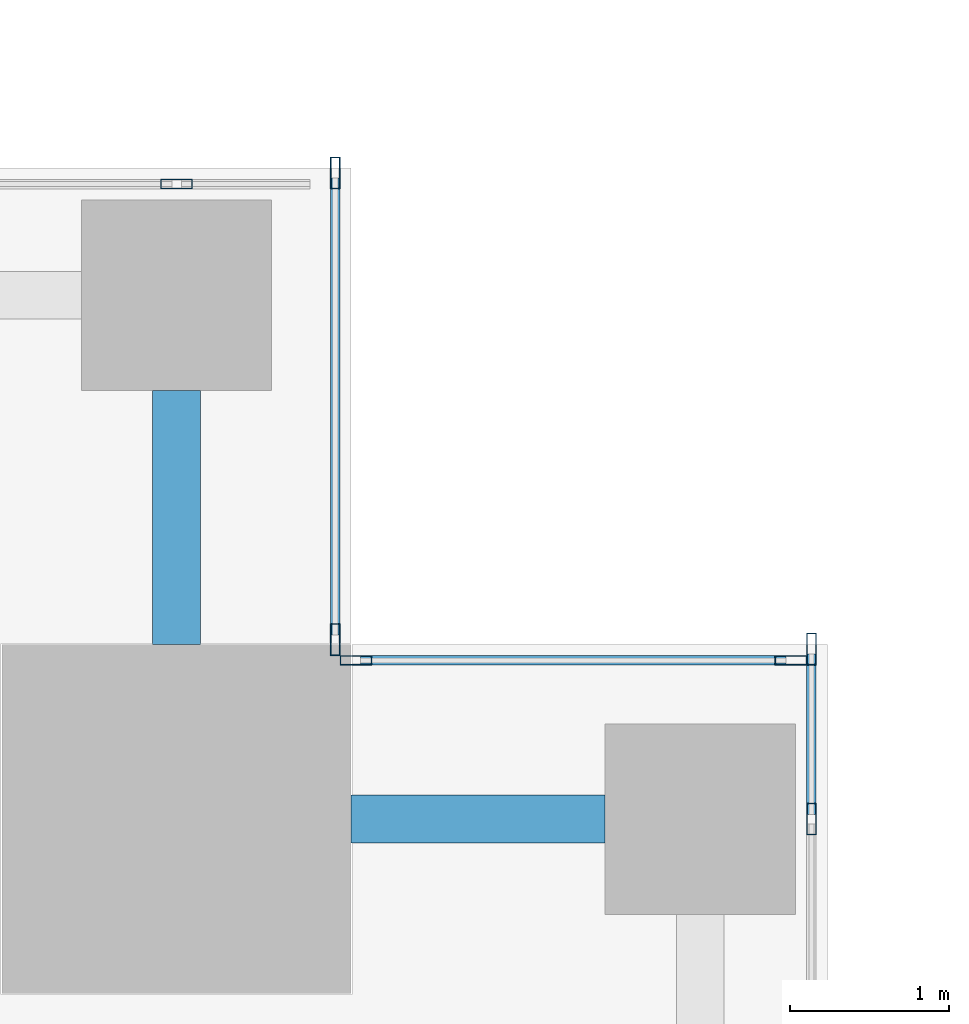
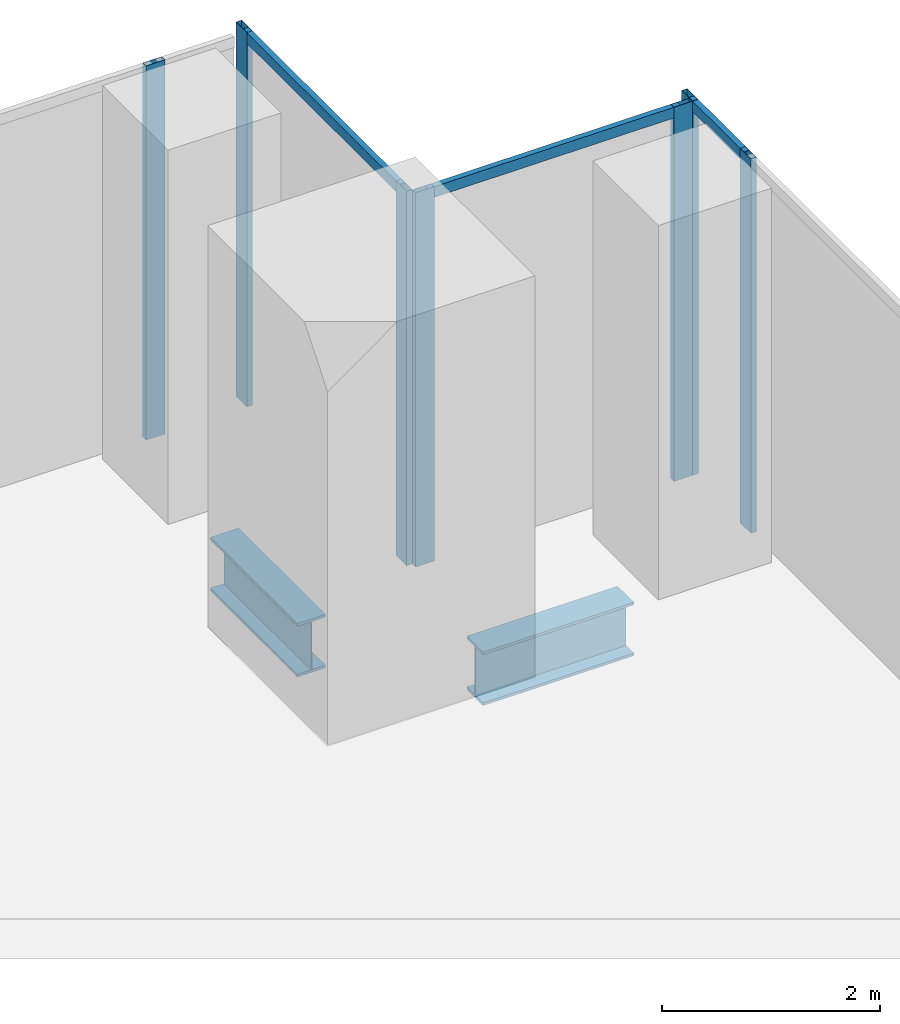
# One storey, part 19 of 32: 10 members, 2 beams, 4 elements without a shape of their own.
"""IFC4 building model written with IfcOpenShell, lengths in metres."""

import ifcopenshell
import ifcopenshell.guid

model = None  # the IFC model being written
_history = None  # IfcOwnerHistory: only IFC2X3 demands one
_inside = {}  # id of a spatial element -> (the spatial element, [elements in it])
_under = {}  # id of a project, library or spatial element -> (it, [spatial elements below it])
_declared = {}  # id of a project -> (the project, [libraries it declares])
_typed = {}  # id of a type object -> (the type object, [elements of that type])
_made_of = {}  # id of a material, layer set ... -> (it, [elements and type objects made of it])


def new_model(schema):
    """Start an empty IFC model of exactly this schema.

    Asked for "IFC4X3", IfcOpenShell would pick the latest addendum, in which some entities
    have other attributes; the version numbers below select the first issue.
    IFC2X3 requires an IfcOwnerHistory on every rooted entity: one is made here for all.
    """
    global model, _history
    if schema == "IFC4X3":
        model = ifcopenshell.file(schema_version=(4, 3, 0, 0))
    else:
        model = ifcopenshell.file(schema=schema)
    _inside.clear()
    _under.clear()
    _declared.clear()
    _typed.clear()
    _made_of.clear()
    _history = None
    if model.schema == "IFC2X3":
        org = make("IfcOrganization", Name="unknown")
        user = make(
            "IfcPersonAndOrganization",
            ThePerson=make("IfcPerson", FamilyName="unknown"),
            TheOrganization=org,
        )
        app = make(
            "IfcApplication",
            ApplicationDeveloper=org,
            Version="unknown",
            ApplicationFullName="unknown",
            ApplicationIdentifier="unknown",
        )
        _history = make(
            "IfcOwnerHistory",
            OwningUser=user,
            OwningApplication=app,
            ChangeAction="ADDED",
            CreationDate=0,
        )
    return model


def make(cls, **values):
    """One entity of the class cls with the attributes given. An attribute that is None is left unset."""
    return model.create_entity(
        cls, **{name: value for name, value in values.items() if value is not None}
    )


def rooted(cls, **values):
    """An entity with a GlobalId (a new one), such as an element, a storey or a relation."""
    return make(cls, GlobalId=ifcopenshell.guid.new(), OwnerHistory=_history, **values)


def si_unit(unit_type, name, prefix=None):
    """IfcSIUnit, for example si_unit("LENGTHUNIT", "METRE", prefix="MILLI")."""
    return make("IfcSIUnit", UnitType=unit_type, Prefix=prefix, Name=name)


def assignment(units):
    """IfcUnitAssignment: the units of a project."""
    return None if units is None else make("IfcUnitAssignment", Units=units)


def point(xyz):
    """IfcCartesianPoint."""
    return None if xyz is None else make("IfcCartesianPoint", Coordinates=xyz)


def direction(xyz):
    """IfcDirection."""
    return None if xyz is None else make("IfcDirection", DirectionRatios=xyz)


def frame(location, z_axis=None, x_axis=None):
    """IfcAxis2Placement3D, a coordinate frame: its origin and axes. An axis left out is left unset."""
    return make(
        "IfcAxis2Placement3D",
        Location=point(location),
        Axis=direction(z_axis),
        RefDirection=direction(x_axis),
    )


def frame_2d(location, x_axis=None):
    """IfcAxis2Placement2D, a coordinate frame in the plane: its origin and x axis."""
    return make(
        "IfcAxis2Placement2D", Location=point(location), RefDirection=direction(x_axis)
    )


def origin():
    """The frame at (0, 0, 0) with its axes left unset."""
    return frame((0.0, 0.0, 0.0))


def origin_2d():
    """The frame at (0, 0) in the plane with its x axis left unset."""
    return frame_2d((0.0, 0.0))


def place(relative_to, where):
    """IfcLocalPlacement: puts the frame where relative to a parent placement (None: the world)."""
    return make(
        "IfcLocalPlacement", PlacementRelTo=relative_to, RelativePlacement=where
    )


def context(
    kind, dimensions, precision=None, world=None, true_north=None, identifier=None
):
    """IfcGeometricRepresentationContext, for example the 3D "Model" context."""
    return make(
        "IfcGeometricRepresentationContext",
        ContextIdentifier=identifier,
        ContextType=kind,
        CoordinateSpaceDimension=dimensions,
        Precision=precision,
        WorldCoordinateSystem=world,
        TrueNorth=true_north,
    )


def subcontext(parent, identifier, kind, view, scale=None):
    """IfcGeometricRepresentationSubContext, for example "Body" below "Model"."""
    return make(
        "IfcGeometricRepresentationSubContext",
        ContextIdentifier=identifier,
        ContextType=kind,
        ParentContext=parent,
        TargetScale=scale,
        TargetView=view,
    )


def project(units=None, contexts=None):
    """IfcProject with its units and contexts."""
    return rooted(
        "IfcProject",
        Name="project",
        RepresentationContexts=contexts,
        UnitsInContext=assignment(units),
    )


def spatial(cls, under=None, at=None, **own):
    """A site, building, storey or space (cls), placed at a placement, below another one or the project."""
    s = rooted(cls, ObjectPlacement=at, **own)
    if under is not None:
        _under.setdefault(under.id(), (under, []))[1].append(s)
    return s


def profile(cls, at=None, kind="AREA", **sizes):
    """A parametric profile (cls). Its sizes go by their IFC names, for example OverallWidth=200.0."""
    return make(cls, ProfileType=kind, Position=at, **sizes)


def hollow_rectangle(**sizes):
    """IfcRectangleHollowProfileDef."""
    return profile("IfcRectangleHollowProfileDef", **sizes)


def i_section(**sizes):
    """IfcIShapeProfileDef."""
    return profile("IfcIShapeProfileDef", **sizes)


def extrude(swept, where, along, depth):
    """IfcExtrudedAreaSolid: the profile swept, set in the frame where, extruded along a direction by depth."""
    return make(
        "IfcExtrudedAreaSolid",
        SweptArea=swept,
        Position=where,
        ExtrudedDirection=direction(along),
        Depth=depth,
    )


def shape(context_of_items, identifier, shape_type, items):
    """IfcShapeRepresentation: the items that make up one representation, for example the "Body"."""
    return make(
        "IfcShapeRepresentation",
        ContextOfItems=context_of_items,
        RepresentationIdentifier=identifier,
        RepresentationType=shape_type,
        Items=items,
    )


def source(mapping_origin, context_of_items, identifier, shape_type, items):
    """IfcRepresentationMap: a shape defined once, which mapped items show again and again."""
    return make(
        "IfcRepresentationMap",
        MappingOrigin=mapping_origin,
        MappedRepresentation=shape(context_of_items, identifier, shape_type, items),
    )


def transform(
    local_origin,
    x_axis=None,
    y_axis=None,
    z_axis=None,
    scale=None,
    scale2=None,
    scale3=None,
    uniform=True,
):
    """IfcCartesianTransformationOperator3D, or its non-uniform kind. x_axis, y_axis, z_axis: its Axis1, 2, 3."""
    if uniform:
        return make(
            "IfcCartesianTransformationOperator3D",
            Axis1=direction(x_axis),
            Axis2=direction(y_axis),
            LocalOrigin=point(local_origin),
            Scale=scale,
            Axis3=direction(z_axis),
        )
    return make(
        "IfcCartesianTransformationOperator3DnonUniform",
        Axis1=direction(x_axis),
        Axis2=direction(y_axis),
        LocalOrigin=point(local_origin),
        Scale=scale,
        Axis3=direction(z_axis),
        Scale2=scale2,
        Scale3=scale3,
    )


def mapped(mapping_source, mapping_target):
    """IfcMappedItem: shows the shape of a source again, moved by a transform."""
    return make(
        "IfcMappedItem", MappingSource=mapping_source, MappingTarget=mapping_target
    )


def material(Name=None, Category=None):
    """IfcMaterial."""
    return make("IfcMaterial", Name=Name, Category=Category)


def material_profile(
    of_material, cross_section, Name=None, Category=None, Priority=None
):
    """IfcMaterialProfile: a cross section and its material."""
    return make(
        "IfcMaterialProfile",
        Name=Name,
        Material=of_material,
        Profile=cross_section,
        Priority=Priority,
        Category=Category,
    )


def profile_set(profiles, Name=None, composite=None):
    """IfcMaterialProfileSet."""
    return make(
        "IfcMaterialProfileSet",
        Name=Name,
        MaterialProfiles=profiles,
        CompositeProfile=composite,
    )


def made_of(thing, what):
    """Note that an element or type object is made of a material, layer set ...; save() writes the relation."""
    if what is not None:
        _made_of.setdefault(what.id(), (what, []))[1].append(thing)
    return thing


def type_object(cls, material=None, **own):
    """A type object (cls), such as IfcWallType, which elements share."""
    return made_of(rooted(cls, **own), material)


def element(
    cls,
    number,
    at=None,
    inside=None,
    cuts=None,
    type_object=None,
    material=None,
    context=None,
    identifier="Body",
    shape_type=None,
    held_by="IfcProductDefinitionShape",
    body=None,
    shapes=None,
    **own,
):
    """One element of the class cls, such as IfcWall. Its Tag is "e" and its number.

    at: its placement. inside: the storey or other place that contains it. cuts: it is an
    opening in that element (IfcRelVoidsElement). A single representation is given by context,
    identifier, shape_type and body (its items); several are given by shapes. held_by: the class
    of the entity that holds the representations. save() writes the other relations.
    """
    e = rooted(cls, Tag="e%d" % number, ObjectPlacement=at, **own)
    if body is not None:
        shapes = [shape(context, identifier, shape_type, body)]
    if shapes is not None:
        e.Representation = make(held_by, Representations=shapes)
    if inside is not None:
        _inside.setdefault(inside.id(), (inside, []))[1].append(e)
    if cuts is not None:
        rooted(
            "IfcRelVoidsElement", RelatingBuildingElement=cuts, RelatedOpeningElement=e
        )
    if type_object is not None:
        _typed.setdefault(type_object.id(), (type_object, []))[1].append(e)
    return made_of(e, material)


def aggregate(whole, parts):
    """IfcRelAggregates: a whole, such as a stair, and the parts it consists of."""
    return rooted("IfcRelAggregates", RelatingObject=whole, RelatedObjects=parts)


def save(model, path):
    """Write the relations noted so far, then the file.

    IfcRelAggregates (storeys below a building ...), IfcRelContainedInSpatialStructure (elements
    in a storey), IfcRelDefinesByType, IfcRelAssociatesMaterial and IfcRelDeclares: one each for
    every whole, place, type object, material and project.
    """
    for whole, parts in _under.values():
        aggregate(whole, parts)
    for where, things in _inside.values():
        rooted(
            "IfcRelContainedInSpatialStructure",
            RelatedElements=things,
            RelatingStructure=where,
        )
    for kind, things in _typed.values():
        rooted("IfcRelDefinesByType", RelatedObjects=things, RelatingType=kind)
    for what, things in _made_of.values():
        rooted("IfcRelAssociatesMaterial", RelatedObjects=things, RelatingMaterial=what)
    for by, libraries in _declared.values():
        rooted("IfcRelDeclares", RelatingContext=by, RelatedDefinitions=libraries)
    model.write(path)


model = new_model("IFC4")

# Units and contexts
model_context = context("Model", 3, precision=1e-05, world=origin(), true_north=direction((0.0, 1.0)))
body_context = subcontext(model_context, "Body", "Model", "MODEL_VIEW")
ifc_project = project(units=[si_unit("LENGTHUNIT", "METRE"), si_unit("AREAUNIT", "SQUARE_METRE"), si_unit("VOLUMEUNIT", "CUBIC_METRE"), si_unit("PLANEANGLEUNIT", "RADIAN"), si_unit("MASSUNIT", "GRAM", prefix="KILO")], contexts=[model_context])

# Site, building, storey
site_placement = place(None, origin())
site = spatial("IfcSite", under=ifc_project, at=site_placement, CompositionType="ELEMENT")
building_placement = place(site_placement, origin())
building = spatial("IfcBuilding", under=site, at=building_placement, Name="Khomas Fold Tower", CompositionType="ELEMENT")
storey_placement = place(building_placement, frame((0.0, 0.0, 64.5)))
storey = spatial("IfcBuildingStorey", under=building, at=storey_placement, Name="L13", CompositionType="ELEMENT", Elevation=64.5)

# Beams
ifc_material_1 = material(Name="Steel S355", Category="steel")
ifc_material_profile_1 = material_profile(ifc_material_1, i_section(OverallWidth=0.300048828125, OverallDepth=0.60009765625, WebThickness=0.015380859375, FlangeThickness=0.030029296875, at=origin_2d()), Name="HE 600 B")
ifc_profile_set_1 = profile_set([ifc_material_profile_1], Name="Steel S355")
beam_type = type_object("IfcBeamType", Name="HE 600 B spandrel SB1", PredefinedType="SPANDREL", material=ifc_profile_set_1)
shared_shape_1 = source(origin(), body_context, "Body", "SweptSolid", [
    extrude(i_section(OverallWidth=0.300048828125, OverallDepth=0.60009765625, WebThickness=0.015380859375, FlangeThickness=0.030029296875, at=origin_2d()), origin(), (0.0, 0.0, 1.0), 1.60009765625),
])
for number, where, z_axis, x_axis, name in (
    (1, (51.0, 49.89990234375, -0.60009765625), (1.0, 0.0, 0.0), (0.0, 1.0, 0.0), "SB1"),
    (2, (49.89990234375, 51.0, -0.60009765625), (0.0, 1.0, 0.0), (-1.0, 0.0, 0.0), "SB1"),
):
    element("IfcBeam", number, at=place(storey_placement, frame(where, z_axis=z_axis, x_axis=x_axis)), inside=storey, type_object=beam_type, Name=name, PredefinedType="SPANDREL", context=body_context, shape_type="MappedRepresentation", body=[
        mapped(shared_shape_1, transform((0.0, 0.0, 0.0))),
    ])

# Curtain wall, member
ifc_material_2 = material(Name="Aluminium framed double glazing", Category="aluminium")
curtain_wall_type = type_object("IfcCurtainWallType", Name="SK-Unitised clear-glass wall, growing floors CW1", PredefinedType="NOTDEFINED", material=ifc_material_2)
curtain_wall_1_placement = place(storey_placement, origin())
curtain_wall_1 = element("IfcCurtainWall", 3, at=curtain_wall_1_placement, inside=storey, type_object=curtain_wall_type, Name="CW1 run L13 03-1", PredefinedType="NOTDEFINED")
ifc_material_3 = material(Name="Aluminium", Category="aluminium")
ifc_material_profile_2 = material_profile(ifc_material_3, hollow_rectangle(XDim=0.06005859375, YDim=0.1201171875, WallThickness=0.00390625, at=origin_2d()), Name="SK-Unitised clear-glass wall, growing floors transom CW1-T")
ifc_profile_set_2 = profile_set([ifc_material_profile_2], Name="Aluminium")
member_type_1 = type_object("IfcMemberType", Name="SK-Unitised clear-glass wall, growing floors transom CW1-T", PredefinedType="USERDEFINED", material=ifc_profile_set_2)
shared_shape_2 = source(origin(), body_context, "Body", "SweptSolid", [
    extrude(hollow_rectangle(XDim=0.06005859375, YDim=0.1201171875, WallThickness=0.00390625, at=origin_2d()), origin(), (0.0, 0.0, 1.0), 1.010009765625),
])
member_1_placement = place(storey_placement, frame((53.89990234375, 49.929931640625, 4.139892578125), z_axis=(0.0, 1.0, 0.0), x_axis=(-1.0, 0.0, 0.0)))
member_1 = element("IfcMember", 4, at=member_1_placement, type_object=member_type_1, Name="CW1 transom 3", ObjectType="TRANSOM", PredefinedType="USERDEFINED", context=body_context, shape_type="MappedRepresentation", body=[
    mapped(shared_shape_2, transform((0.0, 0.0, 0.0))),
])

curtain_wall_2_placement = place(storey_placement, origin())
curtain_wall_2 = element("IfcCurtainWall", 5, at=curtain_wall_2_placement, inside=storey, type_object=curtain_wall_type, Name="CW1 corner return L13 04", PredefinedType="NOTDEFINED")
shared_shape_3 = source(origin(), body_context, "Body", "SweptSolid", [
    extrude(hollow_rectangle(XDim=0.06005859375, YDim=0.1201171875, WallThickness=0.00390625, at=origin_2d()), origin(), (0.0, 0.0, 1.0), 2.679931640625),
])
member_2_placement = place(storey_placement, frame((53.739990234375, 50.89990234375, 4.139892578125), z_axis=(-1.0, 0.0, 0.0), x_axis=(0.0, -1.0, 0.0)))
member_2 = element("IfcMember", 6, at=member_2_placement, type_object=member_type_1, Name="CW1 transom 1", ObjectType="TRANSOM", PredefinedType="USERDEFINED", context=body_context, shape_type="MappedRepresentation", body=[
    mapped(shared_shape_3, transform((0.0, 0.0, 0.0))),
])

curtain_wall_3_placement = place(storey_placement, origin())
curtain_wall_3 = element("IfcCurtainWall", 7, at=curtain_wall_3_placement, inside=storey, type_object=curtain_wall_type, Name="CW1 corner return L13 05", PredefinedType="NOTDEFINED")
shared_shape_4 = source(origin(), body_context, "Body", "SweptSolid", [
    extrude(hollow_rectangle(XDim=0.06005859375, YDim=0.1201171875, WallThickness=0.00390625, at=origin_2d()), origin(), (0.0, 0.0, 1.0), 2.8798828125),
])
member_3_placement = place(storey_placement, frame((50.89990234375, 51.06005859375, 4.139892578125), z_axis=(0.0, 1.0, 0.0), x_axis=(-1.0, 0.0, 0.0)))
member_3 = element("IfcMember", 8, at=member_3_placement, type_object=member_type_1, Name="CW1 transom 1", ObjectType="TRANSOM", PredefinedType="USERDEFINED", context=body_context, shape_type="MappedRepresentation", body=[
    mapped(shared_shape_4, transform((0.0, 0.0, 0.0))),
])

# Member
ifc_material_4 = material(Name="Aluminium", Category="aluminium")
ifc_material_profile_3 = material_profile(ifc_material_4, hollow_rectangle(XDim=0.06005859375, YDim=0.199951171875, WallThickness=0.00390625, at=origin_2d()), Name="SK-Unitised clear-glass wall, growing floors mullion CW1-M")
ifc_profile_set_3 = profile_set([ifc_material_profile_3], Name="Aluminium")
member_type_2 = type_object("IfcMemberType", Name="SK-Unitised clear-glass wall, growing floors mullion CW1-M", PredefinedType="MULLION", material=ifc_profile_set_3)
shared_shape_5 = source(origin(), body_context, "Body", "SweptSolid", [
    extrude(hollow_rectangle(XDim=0.06005859375, YDim=0.199951171875, WallThickness=0.00390625, at=origin_2d()), origin(), (0.0, 0.0, 1.0), 4.199951171875),
])
member_4_placement = place(storey_placement, frame((53.89990234375, 49.89990234375, 0.0), z_axis=(0.0, 0.0, 1.0), x_axis=(-1.0, 0.0, 0.0)))
member_4 = element("IfcMember", 9, at=member_4_placement, type_object=member_type_2, Name="CW1 mullion 3", PredefinedType="MULLION", context=body_context, shape_type="MappedRepresentation", body=[
    mapped(shared_shape_5, transform((0.0, 0.0, 0.0))),
])

member_5_placement = place(storey_placement, frame((53.89990234375, 50.969970703125, 0.0), z_axis=(0.0, 0.0, 1.0), x_axis=(-1.0, 0.0, 0.0)))
member_5 = element("IfcMember", 10, at=member_5_placement, type_object=member_type_2, Name="CW1 mullion 4", PredefinedType="MULLION", context=body_context, shape_type="MappedRepresentation", body=[
    mapped(shared_shape_5, transform((0.0, 0.0, 0.0))),
])

aggregate(curtain_wall_1, [member_4, member_5, member_1])

member_6_placement = place(storey_placement, frame((53.77001953125, 50.89990234375, 0.0), z_axis=(0.0, 0.0, 1.0), x_axis=(0.0, -1.0, 0.0)))
member_6 = element("IfcMember", 11, at=member_6_placement, type_object=member_type_2, Name="CW1 mullion 1", PredefinedType="MULLION", context=body_context, shape_type="MappedRepresentation", body=[
    mapped(shared_shape_5, transform((0.0, 0.0, 0.0))),
])

member_7_placement = place(storey_placement, frame((51.030029296875, 50.89990234375, 0.0), z_axis=(0.0, 0.0, 1.0), x_axis=(0.0, -1.0, 0.0)))
member_7 = element("IfcMember", 12, at=member_7_placement, type_object=member_type_2, Name="CW1 mullion 2", PredefinedType="MULLION", context=body_context, shape_type="MappedRepresentation", body=[
    mapped(shared_shape_5, transform((0.0, 0.0, 0.0))),
])

aggregate(curtain_wall_2, [member_6, member_7, member_2])

member_8_placement = place(storey_placement, frame((50.89990234375, 51.030029296875, 0.0), z_axis=(0.0, 0.0, 1.0), x_axis=(-1.0, 0.0, 0.0)))
member_8 = element("IfcMember", 13, at=member_8_placement, type_object=member_type_2, Name="CW1 mullion 1", PredefinedType="MULLION", context=body_context, shape_type="MappedRepresentation", body=[
    mapped(shared_shape_5, transform((0.0, 0.0, 0.0))),
])

member_9_placement = place(storey_placement, frame((50.89990234375, 53.969970703125, 0.0), z_axis=(0.0, 0.0, 1.0), x_axis=(-1.0, 0.0, 0.0)))
member_9 = element("IfcMember", 14, at=member_9_placement, type_object=member_type_2, Name="CW1 mullion 2", PredefinedType="MULLION", context=body_context, shape_type="MappedRepresentation", body=[
    mapped(shared_shape_5, transform((0.0, 0.0, 0.0))),
])

aggregate(curtain_wall_3, [member_8, member_9, member_3])

# Curtain wall, member
curtain_wall_4_placement = place(storey_placement, origin())
curtain_wall_4 = element("IfcCurtainWall", 15, at=curtain_wall_4_placement, inside=storey, type_object=curtain_wall_type, Name="CW1 run L13 06-0", PredefinedType="NOTDEFINED")
member_10_placement = place(storey_placement, frame((49.89990234375, 53.89990234375, 0.0), z_axis=(0.0, 0.0, 1.0), x_axis=(0.0, -1.0, 0.0)))
member_10 = element("IfcMember", 16, at=member_10_placement, type_object=member_type_2, Name="CW1 mullion 2", PredefinedType="MULLION", context=body_context, shape_type="MappedRepresentation", body=[
    mapped(shared_shape_5, transform((0.0, 0.0, 0.0))),
])
aggregate(curtain_wall_4, [member_10])

save(model, "model.ifc")
